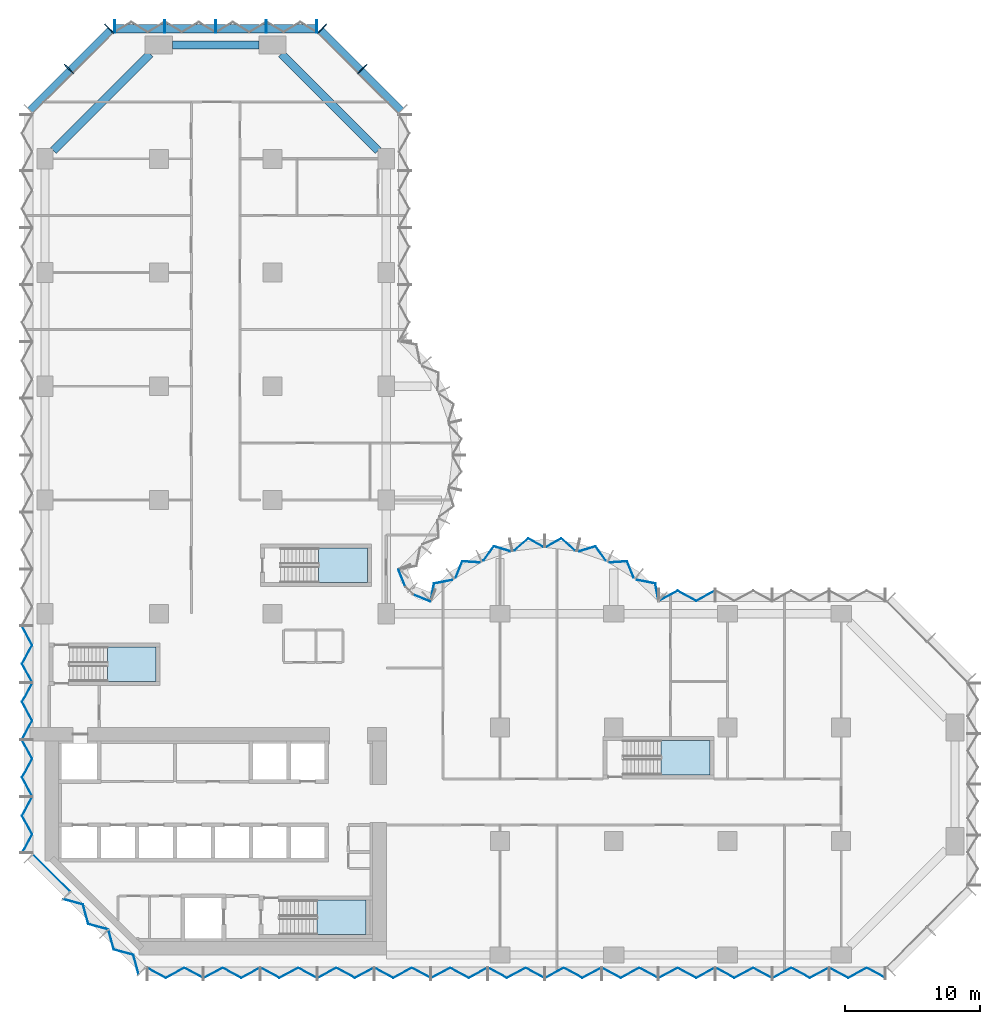
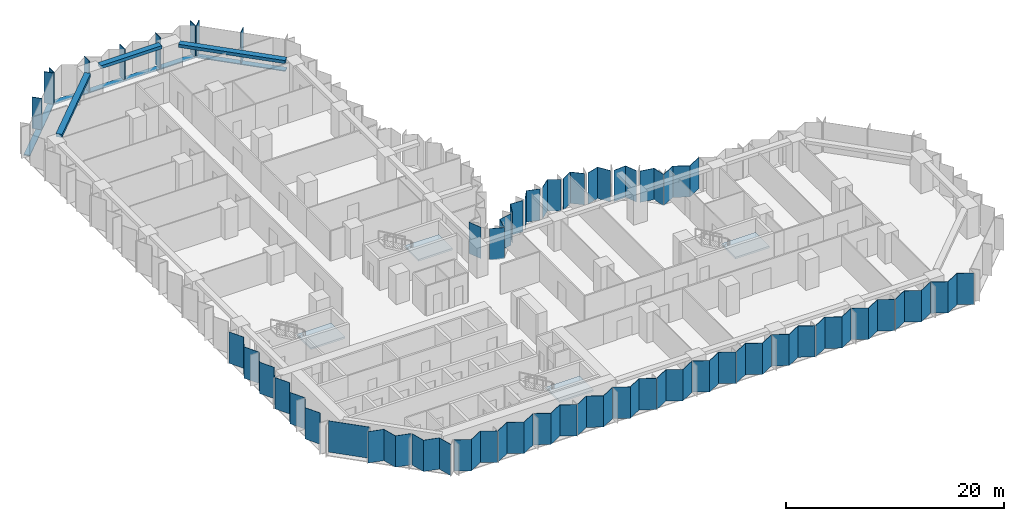
# One storey, part 5 of 15: 31 plates, 12 members, 4 slabs, 3 beams, 13 elements without a shape of their own.
"""IFC4 building model written with IfcOpenShell, lengths in metres."""

from ifc_helpers import new_model, si_unit, direction, frame, origin, origin_2d, place, context, subcontext, project, spatial, polyline, rectangle, outline, extrude, material, layer, layer_set, material_profile, profile_set, type_object, element, aggregate, save


model = new_model("IFC4")

# Units and contexts
model_context = context("Model", 3, precision=1e-05, world=origin(), true_north=direction((0.0, 1.0)))
body_context = subcontext(model_context, "Body", "Model", "MODEL_VIEW")
ifc_project = project(units=[si_unit("LENGTHUNIT", "METRE"), si_unit("AREAUNIT", "SQUARE_METRE"), si_unit("VOLUMEUNIT", "CUBIC_METRE"), si_unit("PLANEANGLEUNIT", "RADIAN"), si_unit("MASSUNIT", "GRAM", prefix="KILO")], contexts=[model_context])

# Site, building, storey
site_placement = place(None, origin())
site = spatial("IfcSite", under=ifc_project, at=site_placement, CompositionType="ELEMENT")
building_placement = place(site_placement, origin())
building = spatial("IfcBuilding", under=site, at=building_placement, Name="Brevane Broadcast Tower", CompositionType="ELEMENT")
storey_placement = place(building_placement, frame((0.0, 0.0, 76.10009765625)))
storey = spatial("IfcBuildingStorey", under=building, at=storey_placement, Name="L17", CompositionType="ELEMENT", Elevation=76.10009765625)

# Curtain wall, members
ifc_material_1 = material(Name="Aluminium 6063-T6 bronze anodised", Category="aluminium")
curtain_wall_type = type_object("IfcCurtainWallType", Name="CW-1 curtain wall", PredefinedType="NOTDEFINED", material=ifc_material_1)
curtain_wall_1_placement = place(storey_placement, origin())
curtain_wall_1 = element("IfcCurtainWall", 1, at=curtain_wall_1_placement, inside=storey, type_object=curtain_wall_type, Name="CW-1 typical tilted unit L17 north arm north-east chamfer", PredefinedType="NOTDEFINED")
ifc_material_profile_1 = material_profile(ifc_material_1, rectangle(XDim=0.949951171875, YDim=0.070068359375, at=origin_2d()), Name="RECT 70x950")
ifc_profile_set_1 = profile_set([ifc_material_profile_1], Name="Aluminium 6063-T6 bronze anodised")
member_type_1 = type_object("IfcMemberType", Name="CW-1 mullion 70x950", PredefinedType="MULLION", material=ifc_profile_set_1)
member_1_placement = place(storey_placement, frame((23.435791015625, 65.435791015625, -0.150146484375), z_axis=(0.0, 0.0, 1.0), x_axis=(-0.707106781187, -0.707106781187, 0.0)))
member_1 = element("IfcMember", 2, at=member_1_placement, type_object=member_type_1, Name="CW-1 mullion", PredefinedType="MULLION", context=body_context, shape_type="SweptSolid", body=[
    extrude(rectangle(XDim=0.949951171875, YDim=0.070068359375, at=origin_2d()), origin(), (0.0, 0.0, 1.0), 3.5),
])
member_2_placement = place(storey_placement, frame((20.460693359375, 68.4111328125, -0.150146484375), z_axis=(0.0, 0.0, 1.0), x_axis=(-0.707106781187, -0.707106781187, 0.0)))
member_2 = element("IfcMember", 3, at=member_2_placement, type_object=member_type_1, Name="CW-1 mullion", PredefinedType="MULLION", context=body_context, shape_type="SweptSolid", body=[
    extrude(rectangle(XDim=0.949951171875, YDim=0.070068359375, at=origin_2d()), origin(), (0.0, 0.0, 1.0), 3.5),
])

curtain_wall_2_placement = place(storey_placement, origin())
curtain_wall_2 = element("IfcCurtainWall", 4, at=curtain_wall_2_placement, inside=storey, type_object=curtain_wall_type, Name="CW-1 typical tilted unit L17 north end", PredefinedType="NOTDEFINED")
member_3_placement = place(storey_placement, frame((20.06494140625, 68.574951171875, -0.150146484375), z_axis=(0.0, 0.0, 1.0), x_axis=(0.0, -1.0, 0.0)))
member_3 = element("IfcMember", 5, at=member_3_placement, type_object=member_type_1, Name="CW-1 mullion", PredefinedType="MULLION", context=body_context, shape_type="SweptSolid", body=[
    extrude(rectangle(XDim=0.949951171875, YDim=0.070068359375, at=origin_2d()), origin(), (0.0, 0.0, 1.0), 3.5),
])
member_4_placement = place(storey_placement, frame((16.35009765625, 68.574951171875, -0.150146484375), z_axis=(0.0, 0.0, 1.0), x_axis=(0.0, -1.0, 0.0)))
member_4 = element("IfcMember", 6, at=member_4_placement, type_object=member_type_1, Name="CW-1 mullion", PredefinedType="MULLION", context=body_context, shape_type="SweptSolid", body=[
    extrude(rectangle(XDim=0.949951171875, YDim=0.070068359375, at=origin_2d()), origin(), (0.0, 0.0, 1.0), 3.5),
])
member_5_placement = place(storey_placement, frame((12.60009765625, 68.574951171875, -0.150146484375), z_axis=(0.0, 0.0, 1.0), x_axis=(0.0, -1.0, 0.0)))
member_5 = element("IfcMember", 7, at=member_5_placement, type_object=member_type_1, Name="CW-1 mullion", PredefinedType="MULLION", context=body_context, shape_type="SweptSolid", body=[
    extrude(rectangle(XDim=0.949951171875, YDim=0.070068359375, at=origin_2d()), origin(), (0.0, 0.0, 1.0), 3.5),
])
member_6_placement = place(storey_placement, frame((8.85009765625, 68.574951171875, -0.150146484375), z_axis=(0.0, 0.0, 1.0), x_axis=(0.0, -1.0, 0.0)))
member_6 = element("IfcMember", 8, at=member_6_placement, type_object=member_type_1, Name="CW-1 mullion", PredefinedType="MULLION", context=body_context, shape_type="SweptSolid", body=[
    extrude(rectangle(XDim=0.949951171875, YDim=0.070068359375, at=origin_2d()), origin(), (0.0, 0.0, 1.0), 3.5),
])
member_7_placement = place(storey_placement, frame((5.135009765625, 68.574951171875, -0.150146484375), z_axis=(0.0, 0.0, 1.0), x_axis=(0.0, -1.0, 0.0)))
member_7 = element("IfcMember", 9, at=member_7_placement, type_object=member_type_1, Name="CW-1 mullion", PredefinedType="MULLION", context=body_context, shape_type="SweptSolid", body=[
    extrude(rectangle(XDim=0.949951171875, YDim=0.070068359375, at=origin_2d()), origin(), (0.0, 0.0, 1.0), 3.5),
])

curtain_wall_3_placement = place(storey_placement, origin())
curtain_wall_3 = element("IfcCurtainWall", 10, at=curtain_wall_3_placement, inside=storey, type_object=curtain_wall_type, Name="CW-1 typical tilted unit L17 north-west chamfer", PredefinedType="NOTDEFINED")
member_8_placement = place(storey_placement, frame((4.7392578125, 68.4111328125, -0.150146484375), z_axis=(0.0, 0.0, 1.0), x_axis=(0.707106781187, -0.707106781187, 0.0)))
member_8 = element("IfcMember", 11, at=member_8_placement, type_object=member_type_1, Name="CW-1 mullion", PredefinedType="MULLION", context=body_context, shape_type="SweptSolid", body=[
    extrude(rectangle(XDim=0.949951171875, YDim=0.070068359375, at=origin_2d()), origin(), (0.0, 0.0, 1.0), 3.5),
])
member_9_placement = place(storey_placement, frame((1.76416015625, 65.435791015625, -0.150146484375), z_axis=(0.0, 0.0, 1.0), x_axis=(0.707106781187, -0.707106781187, 0.0)))
member_9 = element("IfcMember", 12, at=member_9_placement, type_object=member_type_1, Name="CW-1 mullion", PredefinedType="MULLION", context=body_context, shape_type="SweptSolid", body=[
    extrude(rectangle(XDim=0.949951171875, YDim=0.070068359375, at=origin_2d()), origin(), (0.0, 0.0, 1.0), 3.5),
])

# Member
ifc_material_profile_2 = material_profile(ifc_material_1, rectangle(XDim=0.60009765625, YDim=0.10009765625, at=origin_2d()), Name="RECT 100x600")
ifc_profile_set_2 = profile_set([ifc_material_profile_2], Name="Aluminium 6063-T6 bronze anodised")
member_type_2 = type_object("IfcMemberType", Name="CW-1 transom 100x600", PredefinedType="USERDEFINED", material=ifc_profile_set_2)
member_10_placement = place(storey_placement, frame((26.31201171875, 62.31201171875, -0.2001953125), z_axis=(-0.707106781187, 0.707106781187, 0.0), x_axis=(-0.707106781187, -0.707106781187, 0.0)))
member_10 = element("IfcMember", 13, at=member_10_placement, type_object=member_type_2, Name="CW-1 transom", ObjectType="TRANSOM", PredefinedType="USERDEFINED", context=body_context, shape_type="SweptSolid", body=[
    extrude(rectangle(XDim=0.60009765625, YDim=0.10009765625, at=origin_2d()), origin(), (0.0, 0.0, 1.0), 8.4853515625),
])

aggregate(curtain_wall_1, [member_1, member_2, member_10])

member_11_placement = place(storey_placement, frame((20.10009765625, 68.39990234375, -0.2001953125), z_axis=(-1.0, 0.0, 0.0), x_axis=(0.0, -1.0, 0.0)))
member_11 = element("IfcMember", 14, at=member_11_placement, type_object=member_type_2, Name="CW-1 transom", ObjectType="TRANSOM", PredefinedType="USERDEFINED", context=body_context, shape_type="SweptSolid", body=[
    extrude(rectangle(XDim=0.60009765625, YDim=0.10009765625, at=origin_2d()), origin(), (0.0, 0.0, 1.0), 15.0),
])

aggregate(curtain_wall_2, [member_3, member_4, member_5, member_6, member_7, member_11])

member_12_placement = place(storey_placement, frame((4.887939453125, 68.31201171875, -0.2001953125), z_axis=(-0.707106781187, -0.707106781187, 0.0), x_axis=(0.707106781187, -0.707106781187, 0.0)))
member_12 = element("IfcMember", 15, at=member_12_placement, type_object=member_type_2, Name="CW-1 transom", ObjectType="TRANSOM", PredefinedType="USERDEFINED", context=body_context, shape_type="SweptSolid", body=[
    extrude(rectangle(XDim=0.60009765625, YDim=0.10009765625, at=origin_2d()), origin(), (0.0, 0.0, 1.0), 8.4853515625),
])

aggregate(curtain_wall_3, [member_8, member_9, member_12])

# Beams
ifc_material_2 = material(Name="Concrete C40/50", Category="concrete")
ifc_material_profile_3 = material_profile(ifc_material_2, rectangle(XDim=0.60009765625, YDim=0.35009765625, at=origin_2d()), Name="RC 600x350")
ifc_profile_set_3 = profile_set([ifc_material_profile_3], Name="Concrete C40/50")
beam_type = type_object("IfcBeamType", Name="RC SPANDREL BEAM 600x350 C40/50", PredefinedType="SPANDREL", material=ifc_profile_set_3)
beam_1_placement = place(storey_placement, frame((24.60009765625, 59.39990234375, 3.1748046875), z_axis=(-0.707106781187, 0.707106781187, 0.0), x_axis=(-0.707106781187, -0.707106781187, 0.0)))
element("IfcBeam", 16, at=beam_1_placement, inside=storey, type_object=beam_type, Name="EB1 L17-16", PredefinedType="SPANDREL", context=body_context, shape_type="SweptSolid", body=[
    extrude(rectangle(XDim=0.60009765625, YDim=0.35009765625, at=origin_2d()), origin(), (0.0, 0.0, 1.0), 10.11181640625),
])
beam_2_placement = place(storey_placement, frame((15.800048828125, 67.199951171875, 3.1748046875), z_axis=(-1.0, 0.0, 0.0), x_axis=(0.0, -1.0, 0.0)))
element("IfcBeam", 17, at=beam_2_placement, inside=storey, type_object=beam_type, Name="EB1 L17-17", PredefinedType="SPANDREL", context=body_context, shape_type="SweptSolid", body=[
    extrude(rectangle(XDim=0.60009765625, YDim=0.35009765625, at=origin_2d()), origin(), (0.0, 0.0, 1.0), 6.400146484375),
])
beam_3_placement = place(storey_placement, frame((7.75, 66.550048828125, 3.1748046875), z_axis=(-0.707094708853, -0.707118853314, 0.0), x_axis=(0.707118853314, -0.707094708853, 0.0)))
element("IfcBeam", 18, at=beam_3_placement, inside=storey, type_object=beam_type, Name="EB1 L17-18", PredefinedType="SPANDREL", context=body_context, shape_type="SweptSolid", body=[
    extrude(rectangle(XDim=0.60009765625, YDim=0.35009765625, at=origin_2d()), origin(), (0.0, 0.0, 1.0), 10.111572265625),
])

# Curtain wall, plates
curtain_wall_4_placement = place(storey_placement, origin())
curtain_wall_4 = element("IfcCurtainWall", 19, at=curtain_wall_4_placement, inside=storey, type_object=curtain_wall_type, Name="CW-1 typical tilted unit L17 south face", PredefinedType="NOTDEFINED")
ifc_material_3 = material(Name="Laminated glass bronze-tinted", Category="glass")
ifc_layer_1 = layer(ifc_material_3, 0.0400390625)
ifc_layer_set_1 = layer_set([ifc_layer_1], Name="CW tall glass panel 40")
plate_type = type_object("IfcPlateType", Name="CW tall glass panel 40", PredefinedType="CURTAIN_PANEL", material=ifc_layer_set_1)
plate_1_placement = place(storey_placement, frame((0.0, 0.0, -0.150146484375)))
plate_1 = element("IfcPlate", 20, at=plate_1_placement, type_object=plate_type, Name="CW-1 glass panel", PredefinedType="CURTAIN_PANEL", context=body_context, shape_type="SweptSolid", body=[
    extrude(outline(polyline([(7.534912109375, -0.92724609375), (7.534912109375, -0.97265625), (8.91162109375, -1.717041015625), (10.288330078125, -0.97265625), (11.6650390625, -1.717041015625), (11.6650390625, -1.671630859375), (10.288330078125, -0.92724609375), (8.91162109375, -1.671630859375), (7.534912109375, -0.92724609375)])), origin(), (0.0, 0.0, 1.0), 3.5),
])
plate_2_placement = place(storey_placement, frame((0.0, 0.0, -0.150146484375)))
plate_2 = element("IfcPlate", 21, at=plate_2_placement, type_object=plate_type, Name="CW-1 glass panel", PredefinedType="CURTAIN_PANEL", context=body_context, shape_type="SweptSolid", body=[
    extrude(outline(polyline([(11.735107421875, -1.671630859375), (11.735107421875, -1.717041015625), (13.11181640625, -0.97265625), (14.48828125, -1.717041015625), (15.864990234375, -0.97265625), (15.864990234375, -0.92724609375), (14.48828125, -1.671630859375), (13.11181640625, -0.92724609375), (11.735107421875, -1.671630859375)])), origin(), (0.0, 0.0, 1.0), 3.5),
])
plate_3_placement = place(storey_placement, frame((0.0, 0.0, -0.150146484375)))
plate_3 = element("IfcPlate", 22, at=plate_3_placement, type_object=plate_type, Name="CW-1 glass panel", PredefinedType="CURTAIN_PANEL", context=body_context, shape_type="SweptSolid", body=[
    extrude(outline(polyline([(15.93505859375, -0.92724609375), (15.93505859375, -0.97265625), (17.311767578125, -1.717041015625), (18.688232421875, -0.97265625), (20.06494140625, -1.717041015625), (20.06494140625, -1.671630859375), (18.688232421875, -0.92724609375), (17.311767578125, -1.671630859375), (15.93505859375, -0.92724609375)])), origin(), (0.0, 0.0, 1.0), 3.5),
])
plate_4_placement = place(storey_placement, frame((0.0, 0.0, -0.150146484375)))
plate_4 = element("IfcPlate", 23, at=plate_4_placement, type_object=plate_type, Name="CW-1 glass panel", PredefinedType="CURTAIN_PANEL", context=body_context, shape_type="SweptSolid", body=[
    extrude(outline(polyline([(20.135009765625, -1.671630859375), (20.135009765625, -1.717041015625), (21.51171875, -0.97265625), (22.88818359375, -1.717041015625), (24.264892578125, -0.97265625), (24.264892578125, -0.92724609375), (22.88818359375, -1.671630859375), (21.51171875, -0.92724609375), (20.135009765625, -1.671630859375)])), origin(), (0.0, 0.0, 1.0), 3.5),
])
plate_5_placement = place(storey_placement, frame((0.0, 0.0, -0.150146484375)))
plate_5 = element("IfcPlate", 24, at=plate_5_placement, type_object=plate_type, Name="CW-1 glass panel", PredefinedType="CURTAIN_PANEL", context=body_context, shape_type="SweptSolid", body=[
    extrude(outline(polyline([(24.3349609375, -0.92724609375), (24.3349609375, -0.97265625), (25.711669921875, -1.717041015625), (27.08837890625, -0.97265625), (28.465087890625, -1.717041015625), (28.465087890625, -1.671630859375), (27.08837890625, -0.92724609375), (25.711669921875, -1.671630859375), (24.3349609375, -0.92724609375)])), origin(), (0.0, 0.0, 1.0), 3.5),
])
plate_6_placement = place(storey_placement, frame((0.0, 0.0, -0.150146484375)))
plate_6 = element("IfcPlate", 25, at=plate_6_placement, type_object=plate_type, Name="CW-1 glass panel", PredefinedType="CURTAIN_PANEL", context=body_context, shape_type="SweptSolid", body=[
    extrude(outline(polyline([(28.534912109375, -1.671630859375), (28.534912109375, -1.717041015625), (29.91162109375, -0.97265625), (31.288330078125, -1.717041015625), (32.6650390625, -0.97265625), (32.6650390625, -0.92724609375), (31.288330078125, -1.671630859375), (29.91162109375, -0.92724609375), (28.534912109375, -1.671630859375)])), origin(), (0.0, 0.0, 1.0), 3.5),
])
plate_7_placement = place(storey_placement, frame((0.0, 0.0, -0.150146484375)))
plate_7 = element("IfcPlate", 26, at=plate_7_placement, type_object=plate_type, Name="CW-1 glass panel", PredefinedType="CURTAIN_PANEL", context=body_context, shape_type="SweptSolid", body=[
    extrude(outline(polyline([(32.735107421875, -0.92724609375), (32.735107421875, -0.97265625), (34.11181640625, -1.717041015625), (35.48828125, -0.97265625), (36.864990234375, -1.717041015625), (36.864990234375, -1.671630859375), (35.48828125, -0.92724609375), (34.11181640625, -1.671630859375), (32.735107421875, -0.92724609375)])), origin(), (0.0, 0.0, 1.0), 3.5),
])
plate_8_placement = place(storey_placement, frame((0.0, 0.0, -0.150146484375)))
plate_8 = element("IfcPlate", 27, at=plate_8_placement, type_object=plate_type, Name="CW-1 glass panel", PredefinedType="CURTAIN_PANEL", context=body_context, shape_type="SweptSolid", body=[
    extrude(outline(polyline([(36.93505859375, -1.671630859375), (36.93505859375, -1.717041015625), (38.311767578125, -0.97265625), (39.688232421875, -1.717041015625), (41.06494140625, -0.97265625), (41.06494140625, -0.92724609375), (39.688232421875, -1.671630859375), (38.311767578125, -0.92724609375), (36.93505859375, -1.671630859375)])), origin(), (0.0, 0.0, 1.0), 3.5),
])
plate_9_placement = place(storey_placement, frame((0.0, 0.0, -0.150146484375)))
plate_9 = element("IfcPlate", 28, at=plate_9_placement, type_object=plate_type, Name="CW-1 glass panel", PredefinedType="CURTAIN_PANEL", context=body_context, shape_type="SweptSolid", body=[
    extrude(outline(polyline([(41.135009765625, -0.92724609375), (41.135009765625, -0.97265625), (42.51171875, -1.717041015625), (43.88818359375, -0.97265625), (45.264892578125, -1.717041015625), (45.264892578125, -1.671630859375), (43.88818359375, -0.92724609375), (42.51171875, -1.671630859375), (41.135009765625, -0.92724609375)])), origin(), (0.0, 0.0, 1.0), 3.5),
])
plate_10_placement = place(storey_placement, frame((0.0, 0.0, -0.150146484375)))
plate_10 = element("IfcPlate", 29, at=plate_10_placement, type_object=plate_type, Name="CW-1 glass panel", PredefinedType="CURTAIN_PANEL", context=body_context, shape_type="SweptSolid", body=[
    extrude(outline(polyline([(45.3349609375, -1.671630859375), (45.3349609375, -1.717041015625), (46.711669921875, -0.97265625), (48.08837890625, -1.717041015625), (49.465087890625, -0.97265625), (49.465087890625, -0.92724609375), (48.08837890625, -1.671630859375), (46.711669921875, -0.92724609375), (45.3349609375, -1.671630859375)])), origin(), (0.0, 0.0, 1.0), 3.5),
])
plate_11_placement = place(storey_placement, frame((0.0, 0.0, -0.150146484375)))
plate_11 = element("IfcPlate", 30, at=plate_11_placement, type_object=plate_type, Name="CW-1 glass panel", PredefinedType="CURTAIN_PANEL", context=body_context, shape_type="SweptSolid", body=[
    extrude(outline(polyline([(49.534912109375, -0.92724609375), (49.534912109375, -0.97265625), (50.91162109375, -1.717041015625), (52.288330078125, -0.97265625), (53.6650390625, -1.717041015625), (53.6650390625, -1.671630859375), (52.288330078125, -0.92724609375), (50.91162109375, -1.671630859375), (49.534912109375, -0.92724609375)])), origin(), (0.0, 0.0, 1.0), 3.5),
])
plate_12_placement = place(storey_placement, frame((0.0, 0.0, -0.150146484375)))
plate_12 = element("IfcPlate", 31, at=plate_12_placement, type_object=plate_type, Name="CW-1 glass panel", PredefinedType="CURTAIN_PANEL", context=body_context, shape_type="SweptSolid", body=[
    extrude(outline(polyline([(53.735107421875, -1.671630859375), (53.735107421875, -1.717041015625), (55.11181640625, -0.97265625), (56.48828125, -1.717041015625), (57.864990234375, -0.97265625), (57.864990234375, -0.92724609375), (56.48828125, -1.671630859375), (55.11181640625, -0.92724609375), (53.735107421875, -1.671630859375)])), origin(), (0.0, 0.0, 1.0), 3.5),
])
plate_13_placement = place(storey_placement, frame((0.0, 0.0, -0.150146484375)))
plate_13 = element("IfcPlate", 32, at=plate_13_placement, type_object=plate_type, Name="CW-1 glass panel", PredefinedType="CURTAIN_PANEL", context=body_context, shape_type="SweptSolid", body=[
    extrude(outline(polyline([(57.93505859375, -0.92724609375), (57.93505859375, -0.97265625), (59.311767578125, -1.717041015625), (60.688232421875, -0.97265625), (62.06494140625, -1.717041015625), (62.06494140625, -1.671630859375), (60.688232421875, -0.92724609375), (59.311767578125, -1.671630859375), (57.93505859375, -0.92724609375)])), origin(), (0.0, 0.0, 1.0), 3.5),
])
aggregate(curtain_wall_4, [plate_1, plate_2, plate_3, plate_4, plate_5, plate_6, plate_7, plate_8, plate_9, plate_10, plate_11, plate_12, plate_13])

# Curtain wall, plate
curtain_wall_5_placement = place(storey_placement, origin())
curtain_wall_5 = element("IfcCurtainWall", 33, at=curtain_wall_5_placement, inside=storey, type_object=curtain_wall_type, Name="CW-1 typical tilted unit L17 east arm north face", PredefinedType="NOTDEFINED")
plate_14_placement = place(storey_placement, frame((0.0, 0.0, -0.150146484375)))
plate_14 = element("IfcPlate", 34, at=plate_14_placement, type_object=plate_type, Name="CW-1 glass panel", PredefinedType="CURTAIN_PANEL", context=body_context, shape_type="SweptSolid", body=[
    extrude(outline(polyline([(49.465087890625, 26.87158203125), (49.465087890625, 26.9169921875), (48.08837890625, 26.172607421875), (46.711669921875, 26.9169921875), (45.3349609375, 26.172607421875), (45.3349609375, 26.127197265625), (46.711669921875, 26.87158203125), (48.08837890625, 26.127197265625), (49.465087890625, 26.87158203125)])), origin(), (0.0, 0.0, 1.0), 3.5),
])
aggregate(curtain_wall_5, [plate_14])

# Curtain wall, plates
curtain_wall_6_placement = place(storey_placement, origin())
curtain_wall_6 = element("IfcCurtainWall", 35, at=curtain_wall_6_placement, inside=storey, type_object=curtain_wall_type, Name="CW-1 typical tilted unit L17 east bow", PredefinedType="NOTDEFINED")
plate_15_placement = place(storey_placement, frame((0.0, 0.0, -0.150146484375)))
plate_15 = element("IfcPlate", 36, at=plate_15_placement, type_object=plate_type, Name="CW-1 glass panel", PredefinedType="CURTAIN_PANEL", context=body_context, shape_type="SweptSolid", body=[
    extrude(outline(polyline([(45.2939453125, 26.14404296875), (45.327880859375, 26.17919921875), (45.086181640625, 27.447265625), (43.738525390625, 27.71142578125), (43.7109375, 27.67626953125), (45.052001953125, 27.4130859375), (45.2939453125, 26.14404296875)])), origin(), (0.0, 0.0, 1.0), 3.5),
])
plate_16_placement = place(storey_placement, frame((0.0, 0.0, -0.150146484375)))
plate_16 = element("IfcPlate", 37, at=plate_16_placement, type_object=plate_type, Name="CW-1 glass panel", PredefinedType="CURTAIN_PANEL", context=body_context, shape_type="SweptSolid", body=[
    extrude(outline(polyline([(43.45703125, 27.8759765625), (43.4853515625, 27.912109375), (43.00390625, 29.089111328125), (41.710693359375, 29.006591796875), (41.69091796875, 28.96533203125), (42.977783203125, 29.04736328125), (43.45703125, 27.8759765625)])), origin(), (0.0, 0.0, 1.0), 3.5),
])
plate_17_placement = place(storey_placement, frame((0.0, 0.0, -0.150146484375)))
plate_17 = element("IfcPlate", 38, at=plate_17_placement, type_object=plate_type, Name="CW-1 glass panel", PredefinedType="CURTAIN_PANEL", context=body_context, shape_type="SweptSolid", body=[
    extrude(outline(polyline([(41.3994140625, 29.104248046875), (41.4189453125, 29.1455078125), (40.667724609375, 30.20166015625), (39.45068359375, 29.83349609375), (39.440185546875, 29.78857421875), (40.65185546875, 30.155029296875), (41.3994140625, 29.104248046875)])), origin(), (0.0, 0.0, 1.0), 3.5),
])
plate_18_placement = place(storey_placement, frame((0.0, 0.0, -0.150146484375)))
plate_18 = element("IfcPlate", 39, at=plate_18_placement, type_object=plate_type, Name="CW-1 glass panel", PredefinedType="CURTAIN_PANEL", context=body_context, shape_type="SweptSolid", body=[
    extrude(outline(polyline([(39.125, 29.859619140625), (39.13525390625, 29.903564453125), (38.116943359375, 30.779296875), (37.008056640625, 30.15869140625), (37.008056640625, 30.11279296875), (38.112060546875, 30.730712890625), (39.125, 29.859619140625)])), origin(), (0.0, 0.0, 1.0), 3.5),
])
plate_19_placement = place(storey_placement, frame((0.0, 0.0, -0.150146484375)))
plate_19 = element("IfcPlate", 40, at=plate_19_placement, type_object=plate_type, Name="CW-1 glass panel", PredefinedType="CURTAIN_PANEL", context=body_context, shape_type="SweptSolid", body=[
    extrude(outline(polyline([(36.7919921875, 30.11279296875), (36.7919921875, 30.15869140625), (35.68310546875, 30.779296875), (34.664794921875, 29.903564453125), (34.6748046875, 29.859619140625), (35.68798828125, 30.730712890625), (36.7919921875, 30.11279296875)])), origin(), (0.0, 0.0, 1.0), 3.5),
])
plate_20_placement = place(storey_placement, frame((0.0, 0.0, -0.150146484375)))
plate_20 = element("IfcPlate", 41, at=plate_20_placement, type_object=plate_type, Name="CW-1 glass panel", PredefinedType="CURTAIN_PANEL", context=body_context, shape_type="SweptSolid", body=[
    extrude(outline(polyline([(34.359619140625, 29.78857421875), (34.349365234375, 29.83349609375), (33.132080078125, 30.20166015625), (32.381103515625, 29.1455078125), (32.400634765625, 29.104248046875), (33.148193359375, 30.155029296875), (34.359619140625, 29.78857421875)])), origin(), (0.0, 0.0, 1.0), 3.5),
])
plate_21_placement = place(storey_placement, frame((0.0, 0.0, -0.150146484375)))
plate_21 = element("IfcPlate", 42, at=plate_21_placement, type_object=plate_type, Name="CW-1 glass panel", PredefinedType="CURTAIN_PANEL", context=body_context, shape_type="SweptSolid", body=[
    extrude(outline(polyline([(32.10888671875, 28.96533203125), (32.08935546875, 29.006591796875), (30.7958984375, 29.089111328125), (30.314697265625, 27.912109375), (30.343017578125, 27.8759765625), (30.822265625, 29.04736328125), (32.10888671875, 28.96533203125)])), origin(), (0.0, 0.0, 1.0), 3.5),
])
plate_22_placement = place(storey_placement, frame((0.0, 0.0, -0.150146484375)))
plate_22 = element("IfcPlate", 43, at=plate_22_placement, type_object=plate_type, Name="CW-1 glass panel", PredefinedType="CURTAIN_PANEL", context=body_context, shape_type="SweptSolid", body=[
    extrude(outline(polyline([(30.089111328125, 27.67626953125), (30.0615234375, 27.71142578125), (28.7138671875, 27.447265625), (28.471923828125, 26.17919921875), (28.506103515625, 26.14404296875), (28.748046875, 27.4130859375), (30.089111328125, 27.67626953125)])), origin(), (0.0, 0.0, 1.0), 3.5),
])
aggregate(curtain_wall_6, [plate_15, plate_16, plate_17, plate_18, plate_19, plate_20, plate_21, plate_22])

curtain_wall_7_placement = place(storey_placement, origin())
curtain_wall_7 = element("IfcCurtainWall", 44, at=curtain_wall_7_placement, inside=storey, type_object=curtain_wall_type, Name="CW-1 typical tilted unit L17 inner corner", PredefinedType="NOTDEFINED")
plate_23_placement = place(storey_placement, frame((0.0, 0.0, -0.150146484375)))
plate_23 = element("IfcPlate", 45, at=plate_23_placement, type_object=plate_type, Name="CW-1 glass panel", PredefinedType="CURTAIN_PANEL", context=body_context, shape_type="SweptSolid", body=[
    extrude(outline(polyline([(28.45166015625, 26.07470703125), (28.466796875, 26.111572265625), (27.2021484375, 26.635498046875), (27.17138671875, 26.60498046875), (28.45166015625, 26.07470703125)])), origin(), (0.0, 0.0, 1.0), 3.5),
])
plate_24_placement = place(storey_placement, frame((0.0, 0.0, -0.150146484375)))
plate_24 = element("IfcPlate", 46, at=plate_24_placement, type_object=plate_type, Name="CW-1 glass panel", PredefinedType="CURTAIN_PANEL", context=body_context, shape_type="SweptSolid", body=[
    extrude(outline(polyline([(26.60498046875, 27.17138671875), (26.635498046875, 27.2021484375), (26.111572265625, 28.466796875), (26.07470703125, 28.45166015625), (26.60498046875, 27.17138671875)])), origin(), (0.0, 0.0, 1.0), 3.5),
])
aggregate(curtain_wall_7, [plate_23, plate_24])

curtain_wall_8_placement = place(storey_placement, origin())
curtain_wall_8 = element("IfcCurtainWall", 47, at=curtain_wall_8_placement, inside=storey, type_object=curtain_wall_type, Name="CW-1 typical tilted unit L17 west face", PredefinedType="NOTDEFINED")
plate_25_placement = place(storey_placement, frame((0.0, 0.0, -0.150146484375)))
plate_25 = element("IfcPlate", 48, at=plate_25_placement, type_object=plate_type, Name="CW-1 glass panel", PredefinedType="CURTAIN_PANEL", context=body_context, shape_type="SweptSolid", body=[
    extrude(outline(polyline([(-1.671630859375, 24.264892578125), (-1.717041015625, 24.264892578125), (-0.97265625, 22.88818359375), (-1.717041015625, 21.51171875), (-0.97265625, 20.135009765625), (-0.92724609375, 20.135009765625), (-1.671630859375, 21.51171875), (-0.92724609375, 22.88818359375), (-1.671630859375, 24.264892578125)])), origin(), (0.0, 0.0, 1.0), 3.5),
])
plate_26_placement = place(storey_placement, frame((0.0, 0.0, -0.150146484375)))
plate_26 = element("IfcPlate", 49, at=plate_26_placement, type_object=plate_type, Name="CW-1 glass panel", PredefinedType="CURTAIN_PANEL", context=body_context, shape_type="SweptSolid", body=[
    extrude(outline(polyline([(-0.92724609375, 20.06494140625), (-0.97265625, 20.06494140625), (-1.717041015625, 18.688232421875), (-0.97265625, 17.311767578125), (-1.717041015625, 15.93505859375), (-1.671630859375, 15.93505859375), (-0.92724609375, 17.311767578125), (-1.671630859375, 18.688232421875), (-0.92724609375, 20.06494140625)])), origin(), (0.0, 0.0, 1.0), 3.5),
])
plate_27_placement = place(storey_placement, frame((0.0, 0.0, -0.150146484375)))
plate_27 = element("IfcPlate", 50, at=plate_27_placement, type_object=plate_type, Name="CW-1 glass panel", PredefinedType="CURTAIN_PANEL", context=body_context, shape_type="SweptSolid", body=[
    extrude(outline(polyline([(-1.671630859375, 15.864990234375), (-1.717041015625, 15.864990234375), (-0.97265625, 14.48828125), (-1.717041015625, 13.11181640625), (-0.97265625, 11.735107421875), (-0.92724609375, 11.735107421875), (-1.671630859375, 13.11181640625), (-0.92724609375, 14.48828125), (-1.671630859375, 15.864990234375)])), origin(), (0.0, 0.0, 1.0), 3.5),
])
plate_28_placement = place(storey_placement, frame((0.0, 0.0, -0.150146484375)))
plate_28 = element("IfcPlate", 51, at=plate_28_placement, type_object=plate_type, Name="CW-1 glass panel", PredefinedType="CURTAIN_PANEL", context=body_context, shape_type="SweptSolid", body=[
    extrude(outline(polyline([(-0.92724609375, 11.6650390625), (-0.97265625, 11.6650390625), (-1.717041015625, 10.288330078125), (-0.97265625, 8.91162109375), (-1.717041015625, 7.534912109375), (-1.671630859375, 7.534912109375), (-0.92724609375, 8.91162109375), (-1.671630859375, 10.288330078125), (-0.92724609375, 11.6650390625)])), origin(), (0.0, 0.0, 1.0), 3.5),
])
aggregate(curtain_wall_8, [plate_25, plate_26, plate_27, plate_28])

curtain_wall_9_placement = place(storey_placement, origin())
curtain_wall_9 = element("IfcCurtainWall", 52, at=curtain_wall_9_placement, inside=storey, type_object=curtain_wall_type, Name="CW-1 typical tilted unit L17 south-west chamfer", PredefinedType="NOTDEFINED")
plate_29_placement = place(storey_placement, frame((0.0, 0.0, -0.150146484375)))
plate_29 = element("IfcPlate", 53, at=plate_29_placement, type_object=plate_type, Name="CW-1 glass panel", PredefinedType="CURTAIN_PANEL", context=body_context, shape_type="SweptSolid", body=[
    extrude(outline(polyline([(-0.896484375, 7.4541015625), (1.85400390625, 4.70361328125), (1.82568359375, 4.67529296875), (-0.9248046875, 7.42578125), (-0.896484375, 7.4541015625)])), origin(), (0.0, 0.0, 1.0), 3.5),
])
plate_30_placement = place(storey_placement, frame((0.0, 0.0, -0.150146484375)))
plate_30 = element("IfcPlate", 54, at=plate_30_placement, type_object=plate_type, Name="CW-1 glass panel", PredefinedType="CURTAIN_PANEL", context=body_context, shape_type="SweptSolid", body=[
    extrude(outline(polyline([(1.37939453125, 4.1298828125), (1.3466796875, 4.09716796875), (2.789794921875, 3.706787109375), (3.180419921875, 2.263671875), (4.62353515625, 1.873046875), (4.65625, 1.90576171875), (3.212890625, 2.296142578125), (2.822509765625, 3.739501953125), (1.37939453125, 4.1298828125)])), origin(), (0.0, 0.0, 1.0), 3.5),
])
plate_31_placement = place(storey_placement, frame((0.0, 0.0, -0.150146484375)))
plate_31 = element("IfcPlate", 55, at=plate_31_placement, type_object=plate_type, Name="CW-1 glass panel", PredefinedType="CURTAIN_PANEL", context=body_context, shape_type="SweptSolid", body=[
    extrude(outline(polyline([(4.705810546875, 1.856201171875), (4.673095703125, 1.823486328125), (5.063720703125, 0.38037109375), (6.5068359375, -0.010009765625), (6.897216796875, -1.453369140625), (6.9296875, -1.420654296875), (6.539306640625, 0.0224609375), (5.09619140625, 0.4130859375), (4.705810546875, 1.856201171875)])), origin(), (0.0, 0.0, 1.0), 3.5),
])
aggregate(curtain_wall_9, [plate_29, plate_30, plate_31])

# Stair, slab
ifc_material_4 = material(Name="Concrete C50/60", Category="concrete")
stair_type = type_object("IfcStairType", Name="Exit stair 22 risers", PredefinedType="HALF_TURN_STAIR", material=ifc_material_4)
stair_1_placement = place(storey_placement, origin())
stair_1 = element("IfcStair", 56, at=stair_1_placement, inside=storey, type_object=stair_type, Name="L17 Exit stair ST-1", PredefinedType="HALF_TURN_STAIR")
ifc_layer_2 = layer(ifc_material_4, 0.199951171875)
ifc_layer_set_2 = layer_set([ifc_layer_2], Name="Exit stair landing")
slab_type = type_object("IfcSlabType", Name="Exit stair landing", PredefinedType="LANDING", material=ifc_layer_set_2)
slab_1_placement = place(storey_placement, frame((0.0, 0.0, 1.599853515625)))
slab_1 = element("IfcSlab", 57, at=slab_1_placement, type_object=slab_type, Name="ST-1 landing 1", PredefinedType="LANDING", context=body_context, shape_type="SweptSolid", body=[
    extrude(outline(polyline([(4.60009765625, 20.199951171875), (8.199951171875, 20.199951171875), (8.199951171875, 22.75), (4.60009765625, 22.75), (4.60009765625, 20.199951171875)])), origin(), (0.0, 0.0, 1.0), 0.199951171875),
])
aggregate(stair_1, [slab_1])

stair_2_placement = place(storey_placement, origin())
stair_2 = element("IfcStair", 58, at=stair_2_placement, inside=storey, type_object=stair_type, Name="L17 Exit stair ST-2", PredefinedType="HALF_TURN_STAIR")
slab_2_placement = place(storey_placement, frame((0.0, 0.0, 1.599853515625)))
slab_2 = element("IfcSlab", 59, at=slab_2_placement, type_object=slab_type, Name="ST-2 landing 1", PredefinedType="LANDING", context=body_context, shape_type="SweptSolid", body=[
    extrude(outline(polyline([(20.10009765625, 1.5), (23.699951171875, 1.5), (23.699951171875, 4.050048828125), (20.10009765625, 4.050048828125), (20.10009765625, 1.5)])), origin(), (0.0, 0.0, 1.0), 0.199951171875),
])
aggregate(stair_2, [slab_2])

stair_3_placement = place(storey_placement, origin())
stair_3 = element("IfcStair", 60, at=stair_3_placement, inside=storey, type_object=stair_type, Name="L17 Exit stair ST-3", PredefinedType="HALF_TURN_STAIR")
slab_3_placement = place(storey_placement, frame((0.0, 0.0, 1.599853515625)))
slab_3 = element("IfcSlab", 61, at=slab_3_placement, type_object=slab_type, Name="ST-3 landing 1", PredefinedType="LANDING", context=body_context, shape_type="SweptSolid", body=[
    extrude(outline(polyline([(20.199951171875, 27.5), (23.800048828125, 27.5), (23.800048828125, 30.050048828125), (20.199951171875, 30.050048828125), (20.199951171875, 27.5)])), origin(), (0.0, 0.0, 1.0), 0.199951171875),
])
aggregate(stair_3, [slab_3])

stair_4_placement = place(storey_placement, origin())
stair_4 = element("IfcStair", 62, at=stair_4_placement, inside=storey, type_object=stair_type, Name="L17 Exit stair ST-4", PredefinedType="HALF_TURN_STAIR")
slab_4_placement = place(storey_placement, frame((0.0, 0.0, 1.599853515625)))
slab_4 = element("IfcSlab", 63, at=slab_4_placement, type_object=slab_type, Name="ST-4 landing 1", PredefinedType="LANDING", context=body_context, shape_type="SweptSolid", body=[
    extrude(outline(polyline([(45.5, 13.300048828125), (49.10009765625, 13.300048828125), (49.10009765625, 15.85009765625), (45.5, 15.85009765625), (45.5, 13.300048828125)])), origin(), (0.0, 0.0, 1.0), 0.199951171875),
])
aggregate(stair_4, [slab_4])

save(model, "model.ifc")
